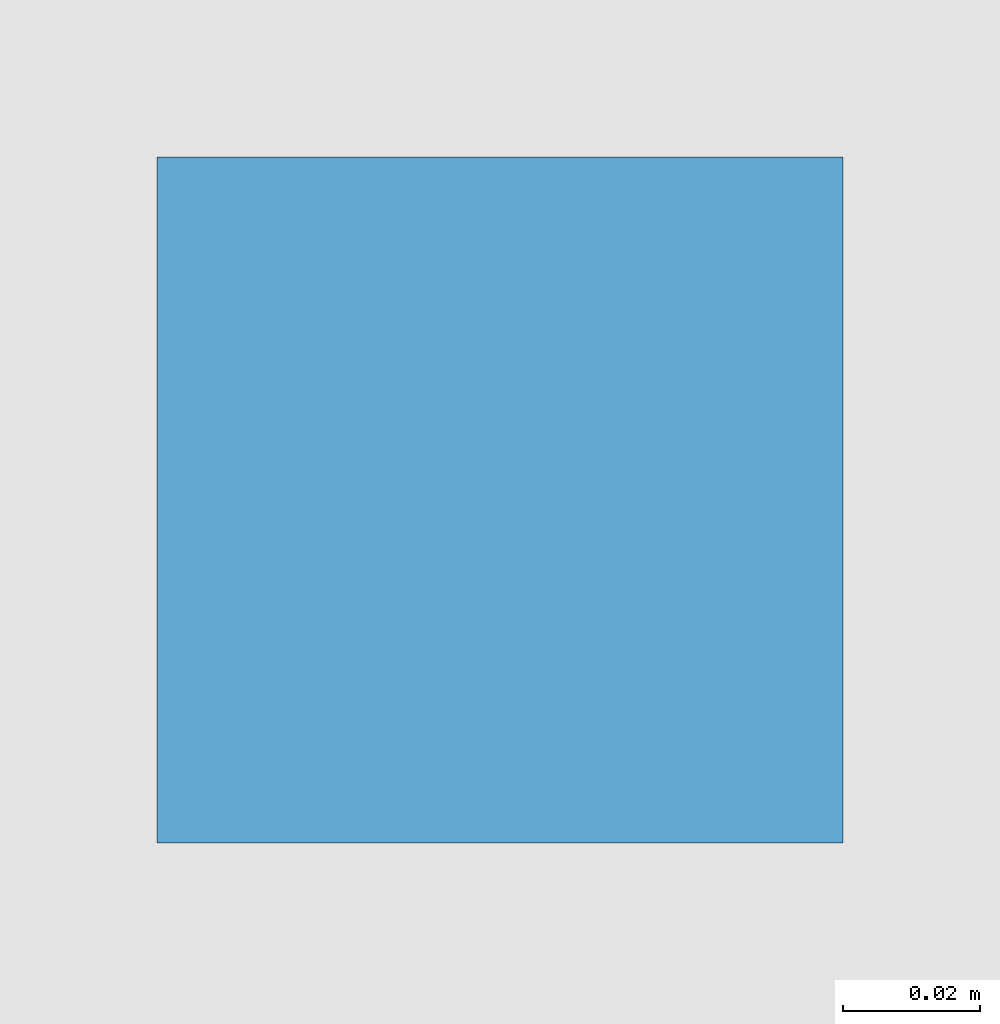
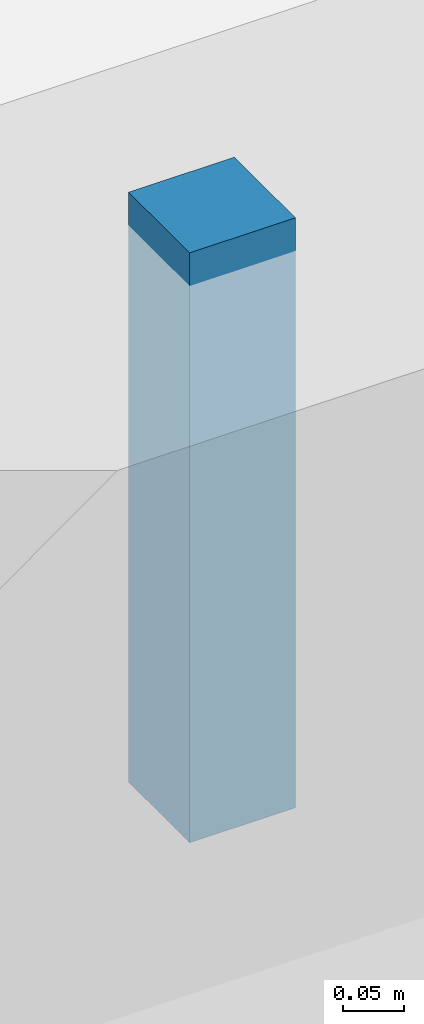
# One storey, part 47 of 122: 1 discrete accessory.
"""IFC4 building model written with IfcOpenShell, lengths in metres."""

from ifc_helpers import new_model, si_unit, direction, frame, origin, origin_2d, place, context, subcontext, project, spatial, rectangle, extrude, material, type_object, element, save


model = new_model("IFC4")

# Units and contexts
model_context = context("Model", 3, precision=1e-05, world=origin(), true_north=direction((0.0, 1.0)))
body_context = subcontext(model_context, "Body", "Model", "MODEL_VIEW")
ifc_project = project(units=[si_unit("LENGTHUNIT", "METRE"), si_unit("AREAUNIT", "SQUARE_METRE"), si_unit("VOLUMEUNIT", "CUBIC_METRE"), si_unit("PLANEANGLEUNIT", "RADIAN"), si_unit("MASSUNIT", "GRAM", prefix="KILO")], contexts=[model_context])

# Site, building, storey
site_placement = place(None, origin())
site = spatial("IfcSite", under=ifc_project, at=site_placement, CompositionType="ELEMENT")
building_placement = place(site_placement, origin())
building = spatial("IfcBuilding", under=site, at=building_placement, Name="Tazoul Stagehouse", CompositionType="ELEMENT")
storey_placement = place(building_placement, origin())
storey = spatial("IfcBuildingStorey", under=building, at=storey_placement, Name="L00", CompositionType="ELEMENT", Elevation=0.0)

# Discrete accessory
ifc_material = material(Name="Austenitic Stainless Steel EN 1.4401", Category="steel")
discrete_accessory_type = type_object("IfcDiscreteAccessoryType", Name="Interior Acoustic Hanger Bracket", PredefinedType="BRACKET", material=ifc_material)
discrete_accessory_placement = place(storey_placement, frame((73.800048828125, 30.199951171875, 3.97998046875), z_axis=(0.0, 0.0, 1.0), x_axis=(1.0, 0.0, 0.0)))
element("IfcDiscreteAccessory", 1, at=discrete_accessory_placement, inside=storey, type_object=discrete_accessory_type, Name="L00 L00 Crescent Foyer Circulation Ceiling Suspension Bracket", PredefinedType="BRACKET", context=body_context, shape_type="SweptSolid", body=[
    extrude(rectangle(XDim=0.10009765625, YDim=0.10009765625, at=origin_2d()), origin(), (0.0, 0.0, 1.0), 0.590087890625),
])

save(model, "model.ifc")
